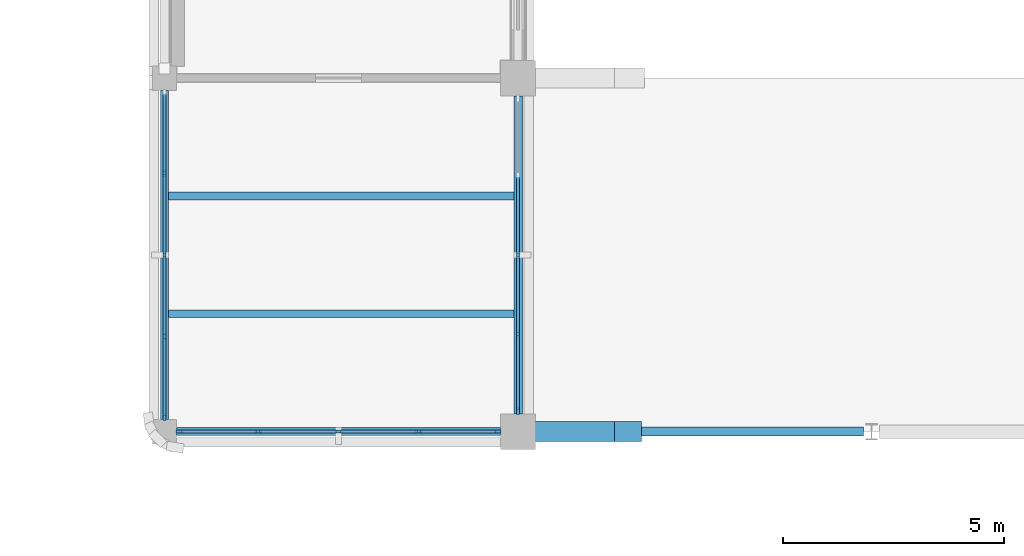
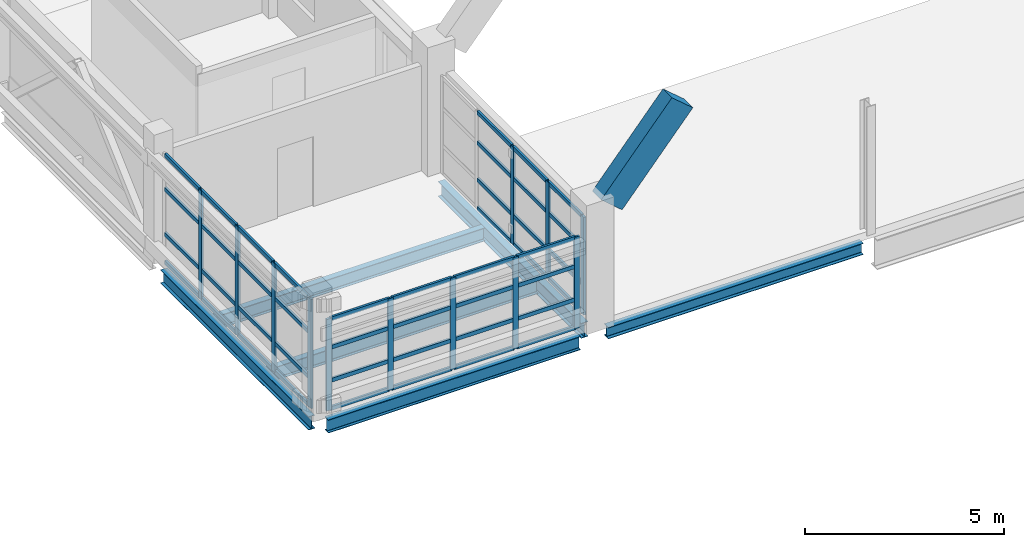
# One storey, part 14 of 92: 56 members, 7 beams, 3 elements without a shape of their own.
"""IFC4 building model written with IfcOpenShell, lengths in metres."""

from ifc_helpers import new_model, si_unit, derived_unit, direction, frame, origin, origin_2d, place, context, subcontext, project, spatial, rectangle, i_section, extrude, material, layer, layer_set, material_profile, profile_set, type_object, element, aggregate, save


model = new_model("IFC4")

# Units and contexts
model_context = context("Model", 3, precision=1e-05, world=origin(), true_north=direction((0.0, 1.0)))
body_context = subcontext(model_context, "Body", "Model", "MODEL_VIEW")
ifc_project = project(units=[si_unit("LENGTHUNIT", "METRE"), si_unit("AREAUNIT", "SQUARE_METRE"), si_unit("VOLUMEUNIT", "CUBIC_METRE"), si_unit("PLANEANGLEUNIT", "RADIAN"), si_unit("MASSUNIT", "GRAM", prefix="KILO"), derived_unit("THERMALTRANSMITTANCEUNIT", [(si_unit("MASSUNIT", "GRAM", prefix="KILO"), 1), (si_unit("TIMEUNIT", "SECOND"), -3), (si_unit("THERMODYNAMICTEMPERATUREUNIT", "KELVIN"), -1)])], contexts=[model_context])

# Site, building, storey
site_placement = place(None, origin())
site = spatial("IfcSite", under=ifc_project, at=site_placement, CompositionType="ELEMENT")
building_placement = place(site_placement, origin())
building = spatial("IfcBuilding", under=site, at=building_placement, Name="Veyamyaing Civic Hall", CompositionType="ELEMENT")
storey_placement = place(building_placement, frame((0.0, 0.0, 17.820068359375)))
storey = spatial("IfcBuildingStorey", under=building, at=storey_placement, Name="L04", CompositionType="ELEMENT", Elevation=17.820068359375)

# Beams
ifc_material_1 = material(Name="Steel ASTM A992", Category="steel")
ifc_material_profile_1 = material_profile(ifc_material_1, i_section(OverallWidth=0.19189453125, OverallDepth=0.462890625, WebThickness=0.010498046875, FlangeThickness=0.017578125, FilletRadius=0.010009765625, at=origin_2d()), Name="W460X89")
ifc_profile_set_1 = profile_set([ifc_material_profile_1], Name="Steel ASTM A992")
beam_type_1 = type_object("IfcBeamType", Name="B-08", PredefinedType="BEAM", material=ifc_profile_set_1)
beam_1_placement = place(storey_placement, frame((72.0, 24.39990234375, -0.4716796875), z_axis=(0.0, 1.0, 0.0), x_axis=(-1.0, 0.0, 0.0)))
element("IfcBeam", 1, at=beam_1_placement, inside=storey, type_object=beam_type_1, Name="Girder B-08 L04 Grid 10 D-E", PredefinedType="BEAM", context=body_context, shape_type="SweptSolid", body=[
    extrude(i_section(OverallWidth=0.19189453125, OverallDepth=0.462890625, WebThickness=0.010498046875, FlangeThickness=0.017578125, FilletRadius=0.010009765625, at=origin_2d()), origin(), (0.0, 0.0, 1.0), 7.2001953125),
])
ifc_material_profile_2 = material_profile(ifc_material_1, i_section(OverallWidth=0.179931640625, OverallDepth=0.4130859375, WebThickness=0.009765625, FlangeThickness=0.01611328125, FilletRadius=0.010009765625, at=origin_2d()), Name="W410X74")
ifc_profile_set_2 = profile_set([ifc_material_profile_2], Name="Steel ASTM A992")
beam_type_2 = type_object("IfcBeamType", Name="B-10", PredefinedType="SPANDREL", material=ifc_profile_set_2)
beam_2_placement = place(storey_placement, frame((64.27490234375, 24.0, -0.441650390625), z_axis=(1.0, 0.0, 0.0), x_axis=(0.0, 1.0, 0.0)))
element("IfcBeam", 2, at=beam_2_placement, inside=storey, type_object=beam_type_2, Name="Girder B-10 L04 Grid D 9-10", PredefinedType="SPANDREL", context=body_context, shape_type="SweptSolid", body=[
    extrude(i_section(OverallWidth=0.179931640625, OverallDepth=0.4130859375, WebThickness=0.009765625, FlangeThickness=0.01611328125, FilletRadius=0.010009765625, at=origin_2d()), origin(), (0.0, 0.0, 1.0), 7.3251953125),
])
beam_3_placement = place(storey_placement, frame((64.0, 24.27490234375, -0.441650390625), z_axis=(0.0, 1.0, 0.0), x_axis=(-1.0, 0.0, 0.0)))
element("IfcBeam", 3, at=beam_3_placement, inside=storey, type_object=beam_type_2, Name="Girder B-10 L04 Grid 9 D-E", PredefinedType="SPANDREL", context=body_context, shape_type="SweptSolid", body=[
    extrude(i_section(OverallWidth=0.179931640625, OverallDepth=0.4130859375, WebThickness=0.009765625, FlangeThickness=0.01611328125, FilletRadius=0.010009765625, at=origin_2d()), origin(), (0.0, 0.0, 1.0), 7.4501953125),
])
ifc_material_profile_3 = material_profile(ifc_material_1, i_section(OverallWidth=0.2041015625, OverallDepth=0.35009765625, WebThickness=0.0078125, FlangeThickness=0.01513671875, FilletRadius=0.010009765625, at=origin_2d()), Name="W360X72")
ifc_profile_set_3 = profile_set([ifc_material_profile_3], Name="Steel ASTM A992")
beam_type_3 = type_object("IfcBeamType", Name="B-11", PredefinedType="SPANDREL", material=ifc_profile_set_3)
beam_4_placement = place(storey_placement, frame((72.39990234375, 24.0, -0.4150390625), z_axis=(1.0, 0.0, 0.0), x_axis=(0.0, 1.0, 0.0)))
element("IfcBeam", 4, at=beam_4_placement, inside=storey, type_object=beam_type_3, Name="Girder B-11 L04 Grid D 10-11", PredefinedType="SPANDREL", context=body_context, shape_type="SweptSolid", body=[
    extrude(i_section(OverallWidth=0.2041015625, OverallDepth=0.35009765625, WebThickness=0.0078125, FlangeThickness=0.01513671875, FilletRadius=0.010009765625, at=origin_2d()), origin(), (0.0, 0.0, 1.0), 7.41552734375),
])

# Curtain wall, members
ifc_material_2 = material(Name="Anodised aluminium 6063-T6", Category="aluminium")
ifc_layer = layer(ifc_material_2, 0.159912109375, Name="Anodised aluminium 6063-T6")
ifc_layer_set = layer_set([ifc_layer], Name="Anodised aluminium 6063-T6")
curtain_wall_type = type_object("IfcCurtainWallType", Name="CW-08", PredefinedType="NOTDEFINED", material=ifc_layer_set)
curtain_wall_1_placement = place(storey_placement, origin())
curtain_wall_1 = element("IfcCurtainWall", 5, at=curtain_wall_1_placement, inside=storey, type_object=curtain_wall_type, Name="Unitized curtain wall CW-08 L04 S 9.4", PredefinedType="NOTDEFINED")
ifc_material_profile_4 = material_profile(ifc_material_2, rectangle(XDim=0.06494140625, YDim=0.159912109375, at=origin_2d()), Name="ALU-MUL-65X160")
ifc_profile_set_4 = profile_set([ifc_material_profile_4], Name="Anodised aluminium 6063-T6")
member_type_1 = type_object("IfcMemberType", Name="CWM-01", PredefinedType="MULLION", material=ifc_profile_set_4)
member_1_placement = place(storey_placement, frame((64.33740234375, 24.0, 0.0), z_axis=(0.0, 0.0, 1.0), x_axis=(0.0, 1.0, 0.0)))
member_1 = element("IfcMember", 6, at=member_1_placement, type_object=member_type_1, Name="CW-08 mullion 1", PredefinedType="MULLION", context=body_context, shape_type="SweptSolid", body=[
    extrude(rectangle(XDim=0.06494140625, YDim=0.159912109375, at=origin_2d()), origin(), (0.0, 0.0, 1.0), 2.81689453125),
])
member_2_placement = place(storey_placement, frame((66.121337890625, 24.0, 0.0), z_axis=(0.0, 0.0, 1.0), x_axis=(0.0, 1.0, 0.0)))
member_2 = element("IfcMember", 7, at=member_2_placement, type_object=member_type_1, Name="CW-08 mullion 2", PredefinedType="MULLION", context=body_context, shape_type="SweptSolid", body=[
    extrude(rectangle(XDim=0.06494140625, YDim=0.159912109375, at=origin_2d()), origin(), (0.0, 0.0, 1.0), 2.81689453125),
])
member_3_placement = place(storey_placement, frame((67.9375, 24.0, 0.0), z_axis=(0.0, 0.0, 1.0), x_axis=(0.0, 1.0, 0.0)))
member_3 = element("IfcMember", 8, at=member_3_placement, type_object=member_type_1, Name="CW-08 mullion 3", PredefinedType="MULLION", context=body_context, shape_type="SweptSolid", body=[
    extrude(rectangle(XDim=0.06494140625, YDim=0.159912109375, at=origin_2d()), origin(), (0.0, 0.0, 1.0), 2.81689453125),
])
member_4_placement = place(storey_placement, frame((69.753662109375, 24.0, 0.0), z_axis=(0.0, 0.0, 1.0), x_axis=(0.0, 1.0, 0.0)))
member_4 = element("IfcMember", 9, at=member_4_placement, type_object=member_type_1, Name="CW-08 mullion 4", PredefinedType="MULLION", context=body_context, shape_type="SweptSolid", body=[
    extrude(rectangle(XDim=0.06494140625, YDim=0.159912109375, at=origin_2d()), origin(), (0.0, 0.0, 1.0), 2.81689453125),
])
member_5_placement = place(storey_placement, frame((71.53759765625, 24.0, 0.0), z_axis=(0.0, 0.0, 1.0), x_axis=(0.0, 1.0, 0.0)))
member_5 = element("IfcMember", 10, at=member_5_placement, type_object=member_type_1, Name="CW-08 mullion 5", PredefinedType="MULLION", context=body_context, shape_type="SweptSolid", body=[
    extrude(rectangle(XDim=0.06494140625, YDim=0.159912109375, at=origin_2d()), origin(), (0.0, 0.0, 1.0), 2.81689453125),
])

curtain_wall_2_placement = place(storey_placement, origin())
curtain_wall_2 = element("IfcCurtainWall", 11, at=curtain_wall_2_placement, inside=storey, type_object=curtain_wall_type, Name="Unitized curtain wall CW-08 L04 W 9.4", PredefinedType="NOTDEFINED")
member_6_placement = place(storey_placement, frame((64.0, 24.33740234375, 0.0), z_axis=(0.0, 0.0, 1.0), x_axis=(-1.0, 0.0, 0.0)))
member_6 = element("IfcMember", 12, at=member_6_placement, type_object=member_type_1, Name="CW-08 mullion 1", PredefinedType="MULLION", context=body_context, shape_type="SweptSolid", body=[
    extrude(rectangle(XDim=0.06494140625, YDim=0.159912109375, at=origin_2d()), origin(), (0.0, 0.0, 1.0), 3.35205078125),
])
member_7_placement = place(storey_placement, frame((64.0, 26.152587890625, 0.0), z_axis=(0.0, 0.0, 1.0), x_axis=(-1.0, 0.0, 0.0)))
member_7 = element("IfcMember", 13, at=member_7_placement, type_object=member_type_1, Name="CW-08 mullion 2", PredefinedType="MULLION", context=body_context, shape_type="SweptSolid", body=[
    extrude(rectangle(XDim=0.06494140625, YDim=0.159912109375, at=origin_2d()), origin(), (0.0, 0.0, 1.0), 3.35205078125),
])
member_8_placement = place(storey_placement, frame((64.0, 28.0, 0.0), z_axis=(0.0, 0.0, 1.0), x_axis=(-1.0, 0.0, 0.0)))
member_8 = element("IfcMember", 14, at=member_8_placement, type_object=member_type_1, Name="CW-08 mullion 3", PredefinedType="MULLION", context=body_context, shape_type="SweptSolid", body=[
    extrude(rectangle(XDim=0.06494140625, YDim=0.159912109375, at=origin_2d()), origin(), (0.0, 0.0, 1.0), 3.35205078125),
])
member_9_placement = place(storey_placement, frame((64.0, 29.847412109375, 0.0), z_axis=(0.0, 0.0, 1.0), x_axis=(-1.0, 0.0, 0.0)))
member_9 = element("IfcMember", 15, at=member_9_placement, type_object=member_type_1, Name="CW-08 mullion 4", PredefinedType="MULLION", context=body_context, shape_type="SweptSolid", body=[
    extrude(rectangle(XDim=0.06494140625, YDim=0.159912109375, at=origin_2d()), origin(), (0.0, 0.0, 1.0), 3.35205078125),
])

curtain_wall_3_placement = place(storey_placement, origin())
curtain_wall_3 = element("IfcCurtainWall", 16, at=curtain_wall_3_placement, inside=storey, type_object=curtain_wall_type, Name="Unitized curtain wall CW-08 L04 E 9.4", PredefinedType="NOTDEFINED")
member_10_placement = place(storey_placement, frame((72.0, 24.46240234375, 0.0), z_axis=(0.0, 0.0, 1.0), x_axis=(-1.0, 0.0, 0.0)))
member_10 = element("IfcMember", 17, at=member_10_placement, type_object=member_type_1, Name="CW-08 mullion 1", PredefinedType="MULLION", context=body_context, shape_type="SweptSolid", body=[
    extrude(rectangle(XDim=0.06494140625, YDim=0.159912109375, at=origin_2d()), origin(), (0.0, 0.0, 1.0), 3.001953125),
])
member_11_placement = place(storey_placement, frame((72.0, 26.215087890625, 0.0), z_axis=(0.0, 0.0, 1.0), x_axis=(-1.0, 0.0, 0.0)))
member_11 = element("IfcMember", 18, at=member_11_placement, type_object=member_type_1, Name="CW-08 mullion 2", PredefinedType="MULLION", context=body_context, shape_type="SweptSolid", body=[
    extrude(rectangle(XDim=0.06494140625, YDim=0.159912109375, at=origin_2d()), origin(), (0.0, 0.0, 1.0), 3.001953125),
])
member_12_placement = place(storey_placement, frame((72.0, 28.0, 0.0), z_axis=(0.0, 0.0, 1.0), x_axis=(-1.0, 0.0, 0.0)))
member_12 = element("IfcMember", 19, at=member_12_placement, type_object=member_type_1, Name="CW-08 mullion 3", PredefinedType="MULLION", context=body_context, shape_type="SweptSolid", body=[
    extrude(rectangle(XDim=0.06494140625, YDim=0.159912109375, at=origin_2d()), origin(), (0.0, 0.0, 1.0), 3.001953125),
])

# Member
ifc_material_profile_5 = material_profile(ifc_material_2, rectangle(XDim=0.06494140625, YDim=0.1201171875, at=origin_2d()), Name="ALU-TRN-65X120")
ifc_profile_set_5 = profile_set([ifc_material_profile_5], Name="Anodised aluminium 6063-T6")
member_type_2 = type_object("IfcMemberType", Name="CWT-01", PredefinedType="USERDEFINED", material=ifc_profile_set_5)
member_13_placement = place(storey_placement, frame((64.3701171875, 24.0, 0.032470703125), z_axis=(1.0, 0.0, 0.0), x_axis=(0.0, 1.0, 0.0)))
member_13 = element("IfcMember", 20, at=member_13_placement, type_object=member_type_2, Name="CW-08 transom 1.1", ObjectType="TRANSOM", PredefinedType="USERDEFINED", context=body_context, shape_type="SweptSolid", body=[
    extrude(rectangle(XDim=0.06494140625, YDim=0.1201171875, at=origin_2d()), origin(), (0.0, 0.0, 1.0), 1.71875),
])

member_14_placement = place(storey_placement, frame((64.3701171875, 24.0, 0.89990234375), z_axis=(1.0, 0.0, 0.0), x_axis=(0.0, 1.0, 0.0)))
member_14 = element("IfcMember", 21, at=member_14_placement, type_object=member_type_2, Name="CW-08 transom 1.2", ObjectType="TRANSOM", PredefinedType="USERDEFINED", context=body_context, shape_type="SweptSolid", body=[
    extrude(rectangle(XDim=0.06494140625, YDim=0.1201171875, at=origin_2d()), origin(), (0.0, 0.0, 1.0), 1.71875),
])

member_15_placement = place(storey_placement, frame((64.3701171875, 24.0, 1.91552734375), z_axis=(1.0, 0.0, 0.0), x_axis=(0.0, 1.0, 0.0)))
member_15 = element("IfcMember", 22, at=member_15_placement, type_object=member_type_2, Name="CW-08 transom 1.3", ObjectType="TRANSOM", PredefinedType="USERDEFINED", context=body_context, shape_type="SweptSolid", body=[
    extrude(rectangle(XDim=0.06494140625, YDim=0.1201171875, at=origin_2d()), origin(), (0.0, 0.0, 1.0), 1.71875),
])

member_16_placement = place(storey_placement, frame((64.3701171875, 24.0, 2.784423828125), z_axis=(1.0, 0.0, 0.0), x_axis=(0.0, 1.0, 0.0)))
member_16 = element("IfcMember", 23, at=member_16_placement, type_object=member_type_2, Name="CW-08 transom 1.4", ObjectType="TRANSOM", PredefinedType="USERDEFINED", context=body_context, shape_type="SweptSolid", body=[
    extrude(rectangle(XDim=0.06494140625, YDim=0.1201171875, at=origin_2d()), origin(), (0.0, 0.0, 1.0), 1.71875),
])

member_17_placement = place(storey_placement, frame((66.15380859375, 24.0, 0.032470703125), z_axis=(1.0, 0.0, 0.0), x_axis=(0.0, 1.0, 0.0)))
member_17 = element("IfcMember", 24, at=member_17_placement, type_object=member_type_2, Name="CW-08 transom 2.1", ObjectType="TRANSOM", PredefinedType="USERDEFINED", context=body_context, shape_type="SweptSolid", body=[
    extrude(rectangle(XDim=0.06494140625, YDim=0.1201171875, at=origin_2d()), origin(), (0.0, 0.0, 1.0), 1.751220703125),
])

member_18_placement = place(storey_placement, frame((66.15380859375, 24.0, 0.89990234375), z_axis=(1.0, 0.0, 0.0), x_axis=(0.0, 1.0, 0.0)))
member_18 = element("IfcMember", 25, at=member_18_placement, type_object=member_type_2, Name="CW-08 transom 2.2", ObjectType="TRANSOM", PredefinedType="USERDEFINED", context=body_context, shape_type="SweptSolid", body=[
    extrude(rectangle(XDim=0.06494140625, YDim=0.1201171875, at=origin_2d()), origin(), (0.0, 0.0, 1.0), 1.751220703125),
])

member_19_placement = place(storey_placement, frame((66.15380859375, 24.0, 1.91552734375), z_axis=(1.0, 0.0, 0.0), x_axis=(0.0, 1.0, 0.0)))
member_19 = element("IfcMember", 26, at=member_19_placement, type_object=member_type_2, Name="CW-08 transom 2.3", ObjectType="TRANSOM", PredefinedType="USERDEFINED", context=body_context, shape_type="SweptSolid", body=[
    extrude(rectangle(XDim=0.06494140625, YDim=0.1201171875, at=origin_2d()), origin(), (0.0, 0.0, 1.0), 1.751220703125),
])

member_20_placement = place(storey_placement, frame((66.15380859375, 24.0, 2.784423828125), z_axis=(1.0, 0.0, 0.0), x_axis=(0.0, 1.0, 0.0)))
member_20 = element("IfcMember", 27, at=member_20_placement, type_object=member_type_2, Name="CW-08 transom 2.4", ObjectType="TRANSOM", PredefinedType="USERDEFINED", context=body_context, shape_type="SweptSolid", body=[
    extrude(rectangle(XDim=0.06494140625, YDim=0.1201171875, at=origin_2d()), origin(), (0.0, 0.0, 1.0), 1.751220703125),
])

member_21_placement = place(storey_placement, frame((67.969970703125, 24.0, 0.032470703125), z_axis=(1.0, 0.0, 0.0), x_axis=(0.0, 1.0, 0.0)))
member_21 = element("IfcMember", 28, at=member_21_placement, type_object=member_type_2, Name="CW-08 transom 3.1", ObjectType="TRANSOM", PredefinedType="USERDEFINED", context=body_context, shape_type="SweptSolid", body=[
    extrude(rectangle(XDim=0.06494140625, YDim=0.1201171875, at=origin_2d()), origin(), (0.0, 0.0, 1.0), 1.751220703125),
])

member_22_placement = place(storey_placement, frame((67.969970703125, 24.0, 0.89990234375), z_axis=(1.0, 0.0, 0.0), x_axis=(0.0, 1.0, 0.0)))
member_22 = element("IfcMember", 29, at=member_22_placement, type_object=member_type_2, Name="CW-08 transom 3.2", ObjectType="TRANSOM", PredefinedType="USERDEFINED", context=body_context, shape_type="SweptSolid", body=[
    extrude(rectangle(XDim=0.06494140625, YDim=0.1201171875, at=origin_2d()), origin(), (0.0, 0.0, 1.0), 1.751220703125),
])

member_23_placement = place(storey_placement, frame((67.969970703125, 24.0, 1.91552734375), z_axis=(1.0, 0.0, 0.0), x_axis=(0.0, 1.0, 0.0)))
member_23 = element("IfcMember", 30, at=member_23_placement, type_object=member_type_2, Name="CW-08 transom 3.3", ObjectType="TRANSOM", PredefinedType="USERDEFINED", context=body_context, shape_type="SweptSolid", body=[
    extrude(rectangle(XDim=0.06494140625, YDim=0.1201171875, at=origin_2d()), origin(), (0.0, 0.0, 1.0), 1.751220703125),
])

member_24_placement = place(storey_placement, frame((67.969970703125, 24.0, 2.784423828125), z_axis=(1.0, 0.0, 0.0), x_axis=(0.0, 1.0, 0.0)))
member_24 = element("IfcMember", 31, at=member_24_placement, type_object=member_type_2, Name="CW-08 transom 3.4", ObjectType="TRANSOM", PredefinedType="USERDEFINED", context=body_context, shape_type="SweptSolid", body=[
    extrude(rectangle(XDim=0.06494140625, YDim=0.1201171875, at=origin_2d()), origin(), (0.0, 0.0, 1.0), 1.751220703125),
])

member_25_placement = place(storey_placement, frame((69.7861328125, 24.0, 0.032470703125), z_axis=(1.0, 0.0, 0.0), x_axis=(0.0, 1.0, 0.0)))
member_25 = element("IfcMember", 32, at=member_25_placement, type_object=member_type_2, Name="CW-08 transom 4.1", ObjectType="TRANSOM", PredefinedType="USERDEFINED", context=body_context, shape_type="SweptSolid", body=[
    extrude(rectangle(XDim=0.06494140625, YDim=0.1201171875, at=origin_2d()), origin(), (0.0, 0.0, 1.0), 1.71875),
])

member_26_placement = place(storey_placement, frame((69.7861328125, 24.0, 0.89990234375), z_axis=(1.0, 0.0, 0.0), x_axis=(0.0, 1.0, 0.0)))
member_26 = element("IfcMember", 33, at=member_26_placement, type_object=member_type_2, Name="CW-08 transom 4.2", ObjectType="TRANSOM", PredefinedType="USERDEFINED", context=body_context, shape_type="SweptSolid", body=[
    extrude(rectangle(XDim=0.06494140625, YDim=0.1201171875, at=origin_2d()), origin(), (0.0, 0.0, 1.0), 1.71875),
])

member_27_placement = place(storey_placement, frame((69.7861328125, 24.0, 1.91552734375), z_axis=(1.0, 0.0, 0.0), x_axis=(0.0, 1.0, 0.0)))
member_27 = element("IfcMember", 34, at=member_27_placement, type_object=member_type_2, Name="CW-08 transom 4.3", ObjectType="TRANSOM", PredefinedType="USERDEFINED", context=body_context, shape_type="SweptSolid", body=[
    extrude(rectangle(XDim=0.06494140625, YDim=0.1201171875, at=origin_2d()), origin(), (0.0, 0.0, 1.0), 1.71875),
])

member_28_placement = place(storey_placement, frame((69.7861328125, 24.0, 2.784423828125), z_axis=(1.0, 0.0, 0.0), x_axis=(0.0, 1.0, 0.0)))
member_28 = element("IfcMember", 35, at=member_28_placement, type_object=member_type_2, Name="CW-08 transom 4.4", ObjectType="TRANSOM", PredefinedType="USERDEFINED", context=body_context, shape_type="SweptSolid", body=[
    extrude(rectangle(XDim=0.06494140625, YDim=0.1201171875, at=origin_2d()), origin(), (0.0, 0.0, 1.0), 1.71875),
])

aggregate(curtain_wall_1, [member_1, member_2, member_3, member_4, member_5, member_13, member_14, member_15, member_16, member_17, member_18, member_19, member_20, member_21, member_22, member_23, member_24, member_25, member_26, member_27, member_28])

member_29_placement = place(storey_placement, frame((64.0, 24.3701171875, 0.032470703125), z_axis=(0.0, 1.0, 0.0), x_axis=(-1.0, 0.0, 0.0)))
member_29 = element("IfcMember", 36, at=member_29_placement, type_object=member_type_2, Name="CW-08 transom 1.1", ObjectType="TRANSOM", PredefinedType="USERDEFINED", context=body_context, shape_type="SweptSolid", body=[
    extrude(rectangle(XDim=0.06494140625, YDim=0.1201171875, at=origin_2d()), origin(), (0.0, 0.0, 1.0), 1.75),
])

member_30_placement = place(storey_placement, frame((64.0, 24.3701171875, 0.89990234375), z_axis=(0.0, 1.0, 0.0), x_axis=(-1.0, 0.0, 0.0)))
member_30 = element("IfcMember", 37, at=member_30_placement, type_object=member_type_2, Name="CW-08 transom 1.2", ObjectType="TRANSOM", PredefinedType="USERDEFINED", context=body_context, shape_type="SweptSolid", body=[
    extrude(rectangle(XDim=0.06494140625, YDim=0.1201171875, at=origin_2d()), origin(), (0.0, 0.0, 1.0), 1.75),
])

member_31_placement = place(storey_placement, frame((64.0, 24.3701171875, 2.279296875), z_axis=(0.0, 1.0, 0.0), x_axis=(-1.0, 0.0, 0.0)))
member_31 = element("IfcMember", 38, at=member_31_placement, type_object=member_type_2, Name="CW-08 transom 1.3", ObjectType="TRANSOM", PredefinedType="USERDEFINED", context=body_context, shape_type="SweptSolid", body=[
    extrude(rectangle(XDim=0.06494140625, YDim=0.1201171875, at=origin_2d()), origin(), (0.0, 0.0, 1.0), 1.75),
])

member_32_placement = place(storey_placement, frame((64.0, 24.3701171875, 3.3193359375), z_axis=(0.0, 1.0, 0.0), x_axis=(-1.0, 0.0, 0.0)))
member_32 = element("IfcMember", 39, at=member_32_placement, type_object=member_type_2, Name="CW-08 transom 1.4", ObjectType="TRANSOM", PredefinedType="USERDEFINED", context=body_context, shape_type="SweptSolid", body=[
    extrude(rectangle(XDim=0.06494140625, YDim=0.1201171875, at=origin_2d()), origin(), (0.0, 0.0, 1.0), 1.75),
])

member_33_placement = place(storey_placement, frame((64.0, 26.18505859375, 0.032470703125), z_axis=(0.0, 1.0, 0.0), x_axis=(-1.0, 0.0, 0.0)))
member_33 = element("IfcMember", 40, at=member_33_placement, type_object=member_type_2, Name="CW-08 transom 2.1", ObjectType="TRANSOM", PredefinedType="USERDEFINED", context=body_context, shape_type="SweptSolid", body=[
    extrude(rectangle(XDim=0.06494140625, YDim=0.1201171875, at=origin_2d()), origin(), (0.0, 0.0, 1.0), 1.782470703125),
])

member_34_placement = place(storey_placement, frame((64.0, 26.18505859375, 0.89990234375), z_axis=(0.0, 1.0, 0.0), x_axis=(-1.0, 0.0, 0.0)))
member_34 = element("IfcMember", 41, at=member_34_placement, type_object=member_type_2, Name="CW-08 transom 2.2", ObjectType="TRANSOM", PredefinedType="USERDEFINED", context=body_context, shape_type="SweptSolid", body=[
    extrude(rectangle(XDim=0.06494140625, YDim=0.1201171875, at=origin_2d()), origin(), (0.0, 0.0, 1.0), 1.782470703125),
])

member_35_placement = place(storey_placement, frame((64.0, 26.18505859375, 2.279296875), z_axis=(0.0, 1.0, 0.0), x_axis=(-1.0, 0.0, 0.0)))
member_35 = element("IfcMember", 42, at=member_35_placement, type_object=member_type_2, Name="CW-08 transom 2.3", ObjectType="TRANSOM", PredefinedType="USERDEFINED", context=body_context, shape_type="SweptSolid", body=[
    extrude(rectangle(XDim=0.06494140625, YDim=0.1201171875, at=origin_2d()), origin(), (0.0, 0.0, 1.0), 1.782470703125),
])

member_36_placement = place(storey_placement, frame((64.0, 26.18505859375, 3.3193359375), z_axis=(0.0, 1.0, 0.0), x_axis=(-1.0, 0.0, 0.0)))
member_36 = element("IfcMember", 43, at=member_36_placement, type_object=member_type_2, Name="CW-08 transom 2.4", ObjectType="TRANSOM", PredefinedType="USERDEFINED", context=body_context, shape_type="SweptSolid", body=[
    extrude(rectangle(XDim=0.06494140625, YDim=0.1201171875, at=origin_2d()), origin(), (0.0, 0.0, 1.0), 1.782470703125),
])

member_37_placement = place(storey_placement, frame((64.0, 28.032470703125, 0.032470703125), z_axis=(0.0, 1.0, 0.0), x_axis=(-1.0, 0.0, 0.0)))
member_37 = element("IfcMember", 44, at=member_37_placement, type_object=member_type_2, Name="CW-08 transom 3.1", ObjectType="TRANSOM", PredefinedType="USERDEFINED", context=body_context, shape_type="SweptSolid", body=[
    extrude(rectangle(XDim=0.06494140625, YDim=0.1201171875, at=origin_2d()), origin(), (0.0, 0.0, 1.0), 1.782470703125),
])

member_38_placement = place(storey_placement, frame((64.0, 28.032470703125, 0.89990234375), z_axis=(0.0, 1.0, 0.0), x_axis=(-1.0, 0.0, 0.0)))
member_38 = element("IfcMember", 45, at=member_38_placement, type_object=member_type_2, Name="CW-08 transom 3.2", ObjectType="TRANSOM", PredefinedType="USERDEFINED", context=body_context, shape_type="SweptSolid", body=[
    extrude(rectangle(XDim=0.06494140625, YDim=0.1201171875, at=origin_2d()), origin(), (0.0, 0.0, 1.0), 1.782470703125),
])

member_39_placement = place(storey_placement, frame((64.0, 28.032470703125, 2.279296875), z_axis=(0.0, 1.0, 0.0), x_axis=(-1.0, 0.0, 0.0)))
member_39 = element("IfcMember", 46, at=member_39_placement, type_object=member_type_2, Name="CW-08 transom 3.3", ObjectType="TRANSOM", PredefinedType="USERDEFINED", context=body_context, shape_type="SweptSolid", body=[
    extrude(rectangle(XDim=0.06494140625, YDim=0.1201171875, at=origin_2d()), origin(), (0.0, 0.0, 1.0), 1.782470703125),
])

member_40_placement = place(storey_placement, frame((64.0, 28.032470703125, 3.3193359375), z_axis=(0.0, 1.0, 0.0), x_axis=(-1.0, 0.0, 0.0)))
member_40 = element("IfcMember", 47, at=member_40_placement, type_object=member_type_2, Name="CW-08 transom 3.4", ObjectType="TRANSOM", PredefinedType="USERDEFINED", context=body_context, shape_type="SweptSolid", body=[
    extrude(rectangle(XDim=0.06494140625, YDim=0.1201171875, at=origin_2d()), origin(), (0.0, 0.0, 1.0), 1.782470703125),
])

member_41_placement = place(storey_placement, frame((64.0, 29.8798828125, 0.032470703125), z_axis=(0.0, 1.0, 0.0), x_axis=(-1.0, 0.0, 0.0)))
member_41 = element("IfcMember", 48, at=member_41_placement, type_object=member_type_2, Name="CW-08 transom 4.1", ObjectType="TRANSOM", PredefinedType="USERDEFINED", context=body_context, shape_type="SweptSolid", body=[
    extrude(rectangle(XDim=0.06494140625, YDim=0.1201171875, at=origin_2d()), origin(), (0.0, 0.0, 1.0), 1.75),
])

member_42_placement = place(storey_placement, frame((64.0, 29.8798828125, 0.89990234375), z_axis=(0.0, 1.0, 0.0), x_axis=(-1.0, 0.0, 0.0)))
member_42 = element("IfcMember", 49, at=member_42_placement, type_object=member_type_2, Name="CW-08 transom 4.2", ObjectType="TRANSOM", PredefinedType="USERDEFINED", context=body_context, shape_type="SweptSolid", body=[
    extrude(rectangle(XDim=0.06494140625, YDim=0.1201171875, at=origin_2d()), origin(), (0.0, 0.0, 1.0), 1.75),
])

member_43_placement = place(storey_placement, frame((64.0, 29.8798828125, 2.279296875), z_axis=(0.0, 1.0, 0.0), x_axis=(-1.0, 0.0, 0.0)))
member_43 = element("IfcMember", 50, at=member_43_placement, type_object=member_type_2, Name="CW-08 transom 4.3", ObjectType="TRANSOM", PredefinedType="USERDEFINED", context=body_context, shape_type="SweptSolid", body=[
    extrude(rectangle(XDim=0.06494140625, YDim=0.1201171875, at=origin_2d()), origin(), (0.0, 0.0, 1.0), 1.75),
])

member_44_placement = place(storey_placement, frame((64.0, 29.8798828125, 3.3193359375), z_axis=(0.0, 1.0, 0.0), x_axis=(-1.0, 0.0, 0.0)))
member_44 = element("IfcMember", 51, at=member_44_placement, type_object=member_type_2, Name="CW-08 transom 4.4", ObjectType="TRANSOM", PredefinedType="USERDEFINED", context=body_context, shape_type="SweptSolid", body=[
    extrude(rectangle(XDim=0.06494140625, YDim=0.1201171875, at=origin_2d()), origin(), (0.0, 0.0, 1.0), 1.75),
])

aggregate(curtain_wall_2, [member_6, member_7, member_8, member_9, member_29, member_30, member_31, member_32, member_33, member_34, member_35, member_36, member_37, member_38, member_39, member_40, member_41, member_42, member_43, member_44])

member_45_placement = place(storey_placement, frame((72.0, 24.4951171875, 0.032470703125), z_axis=(0.0, 1.0, 0.0), x_axis=(-1.0, 0.0, 0.0)))
member_45 = element("IfcMember", 52, at=member_45_placement, type_object=member_type_2, Name="CW-08 transom 1.1", ObjectType="TRANSOM", PredefinedType="USERDEFINED", context=body_context, shape_type="SweptSolid", body=[
    extrude(rectangle(XDim=0.06494140625, YDim=0.1201171875, at=origin_2d()), origin(), (0.0, 0.0, 1.0), 1.6875),
])

member_46_placement = place(storey_placement, frame((72.0, 24.4951171875, 0.89990234375), z_axis=(0.0, 1.0, 0.0), x_axis=(-1.0, 0.0, 0.0)))
member_46 = element("IfcMember", 53, at=member_46_placement, type_object=member_type_2, Name="CW-08 transom 1.2", ObjectType="TRANSOM", PredefinedType="USERDEFINED", context=body_context, shape_type="SweptSolid", body=[
    extrude(rectangle(XDim=0.06494140625, YDim=0.1201171875, at=origin_2d()), origin(), (0.0, 0.0, 1.0), 1.6875),
])

member_47_placement = place(storey_placement, frame((72.0, 24.4951171875, 2.041259765625), z_axis=(0.0, 1.0, 0.0), x_axis=(-1.0, 0.0, 0.0)))
member_47 = element("IfcMember", 54, at=member_47_placement, type_object=member_type_2, Name="CW-08 transom 1.3", ObjectType="TRANSOM", PredefinedType="USERDEFINED", context=body_context, shape_type="SweptSolid", body=[
    extrude(rectangle(XDim=0.06494140625, YDim=0.1201171875, at=origin_2d()), origin(), (0.0, 0.0, 1.0), 1.6875),
])

member_48_placement = place(storey_placement, frame((72.0, 24.4951171875, 2.969482421875), z_axis=(0.0, 1.0, 0.0), x_axis=(-1.0, 0.0, 0.0)))
member_48 = element("IfcMember", 55, at=member_48_placement, type_object=member_type_2, Name="CW-08 transom 1.4", ObjectType="TRANSOM", PredefinedType="USERDEFINED", context=body_context, shape_type="SweptSolid", body=[
    extrude(rectangle(XDim=0.06494140625, YDim=0.1201171875, at=origin_2d()), origin(), (0.0, 0.0, 1.0), 1.6875),
])

member_49_placement = place(storey_placement, frame((72.0, 26.24755859375, 0.032470703125), z_axis=(0.0, 1.0, 0.0), x_axis=(-1.0, 0.0, 0.0)))
member_49 = element("IfcMember", 56, at=member_49_placement, type_object=member_type_2, Name="CW-08 transom 2.1", ObjectType="TRANSOM", PredefinedType="USERDEFINED", context=body_context, shape_type="SweptSolid", body=[
    extrude(rectangle(XDim=0.06494140625, YDim=0.1201171875, at=origin_2d()), origin(), (0.0, 0.0, 1.0), 1.719970703125),
])

member_50_placement = place(storey_placement, frame((72.0, 26.24755859375, 0.89990234375), z_axis=(0.0, 1.0, 0.0), x_axis=(-1.0, 0.0, 0.0)))
member_50 = element("IfcMember", 57, at=member_50_placement, type_object=member_type_2, Name="CW-08 transom 2.2", ObjectType="TRANSOM", PredefinedType="USERDEFINED", context=body_context, shape_type="SweptSolid", body=[
    extrude(rectangle(XDim=0.06494140625, YDim=0.1201171875, at=origin_2d()), origin(), (0.0, 0.0, 1.0), 1.719970703125),
])

member_51_placement = place(storey_placement, frame((72.0, 26.24755859375, 2.041259765625), z_axis=(0.0, 1.0, 0.0), x_axis=(-1.0, 0.0, 0.0)))
member_51 = element("IfcMember", 58, at=member_51_placement, type_object=member_type_2, Name="CW-08 transom 2.3", ObjectType="TRANSOM", PredefinedType="USERDEFINED", context=body_context, shape_type="SweptSolid", body=[
    extrude(rectangle(XDim=0.06494140625, YDim=0.1201171875, at=origin_2d()), origin(), (0.0, 0.0, 1.0), 1.719970703125),
])

member_52_placement = place(storey_placement, frame((72.0, 26.24755859375, 2.969482421875), z_axis=(0.0, 1.0, 0.0), x_axis=(-1.0, 0.0, 0.0)))
member_52 = element("IfcMember", 59, at=member_52_placement, type_object=member_type_2, Name="CW-08 transom 2.4", ObjectType="TRANSOM", PredefinedType="USERDEFINED", context=body_context, shape_type="SweptSolid", body=[
    extrude(rectangle(XDim=0.06494140625, YDim=0.1201171875, at=origin_2d()), origin(), (0.0, 0.0, 1.0), 1.719970703125),
])

member_53_placement = place(storey_placement, frame((72.0, 28.032470703125, 0.032470703125), z_axis=(0.0, 1.0, 0.0), x_axis=(-1.0, 0.0, 0.0)))
member_53 = element("IfcMember", 60, at=member_53_placement, type_object=member_type_2, Name="CW-08 transom 3.1", ObjectType="TRANSOM", PredefinedType="USERDEFINED", context=body_context, shape_type="SweptSolid", body=[
    extrude(rectangle(XDim=0.06494140625, YDim=0.1201171875, at=origin_2d()), origin(), (0.0, 0.0, 1.0), 1.719970703125),
])

member_54_placement = place(storey_placement, frame((72.0, 28.032470703125, 0.89990234375), z_axis=(0.0, 1.0, 0.0), x_axis=(-1.0, 0.0, 0.0)))
member_54 = element("IfcMember", 61, at=member_54_placement, type_object=member_type_2, Name="CW-08 transom 3.2", ObjectType="TRANSOM", PredefinedType="USERDEFINED", context=body_context, shape_type="SweptSolid", body=[
    extrude(rectangle(XDim=0.06494140625, YDim=0.1201171875, at=origin_2d()), origin(), (0.0, 0.0, 1.0), 1.719970703125),
])

member_55_placement = place(storey_placement, frame((72.0, 28.032470703125, 2.041259765625), z_axis=(0.0, 1.0, 0.0), x_axis=(-1.0, 0.0, 0.0)))
member_55 = element("IfcMember", 62, at=member_55_placement, type_object=member_type_2, Name="CW-08 transom 3.3", ObjectType="TRANSOM", PredefinedType="USERDEFINED", context=body_context, shape_type="SweptSolid", body=[
    extrude(rectangle(XDim=0.06494140625, YDim=0.1201171875, at=origin_2d()), origin(), (0.0, 0.0, 1.0), 1.719970703125),
])

member_56_placement = place(storey_placement, frame((72.0, 28.032470703125, 2.969482421875), z_axis=(0.0, 1.0, 0.0), x_axis=(-1.0, 0.0, 0.0)))
member_56 = element("IfcMember", 63, at=member_56_placement, type_object=member_type_2, Name="CW-08 transom 3.4", ObjectType="TRANSOM", PredefinedType="USERDEFINED", context=body_context, shape_type="SweptSolid", body=[
    extrude(rectangle(XDim=0.06494140625, YDim=0.1201171875, at=origin_2d()), origin(), (0.0, 0.0, 1.0), 1.719970703125),
])

aggregate(curtain_wall_3, [member_10, member_11, member_12, member_45, member_46, member_47, member_48, member_49, member_50, member_51, member_52, member_53, member_54, member_55, member_56])

# Beams
ifc_material_profile_6 = material_profile(ifc_material_1, i_section(OverallWidth=0.177978515625, OverallDepth=0.406982421875, WebThickness=0.0078125, FlangeThickness=0.0126953125, FilletRadius=0.010009765625, at=origin_2d()), Name="W410X60")
ifc_profile_set_6 = profile_set([ifc_material_profile_6], Name="Steel ASTM A992")
beam_type_4 = type_object("IfcBeamType", Name="J-01", PredefinedType="JOIST", material=ifc_profile_set_6)
for number, where, z_axis, x_axis, name in (
    (64, (64.087890625, 26.666748046875, -0.443603515625), (1.0, 0.0, 0.0), (0.0, 1.0, 0.0), "Composite floor joist J-01 L04 9.4.1"),
    (65, (64.087890625, 29.333251953125, -0.443603515625), (1.0, 0.0, 0.0), (0.0, 1.0, 0.0), "Composite floor joist J-01 L04 9.4.2"),
):
    element("IfcBeam", number, at=place(storey_placement, frame(where, z_axis=z_axis, x_axis=x_axis)), inside=storey, type_object=beam_type_4, Name=name, PredefinedType="JOIST", context=body_context, shape_type="SweptSolid", body=[
        extrude(i_section(OverallWidth=0.177978515625, OverallDepth=0.406982421875, WebThickness=0.0078125, FlangeThickness=0.0126953125, FilletRadius=0.010009765625, at=origin_2d()), origin(), (0.0, 0.0, 1.0), 7.818115234375),
    ])
ifc_material_3 = material(Name="Concrete C40/50", Category="concrete")
ifc_material_profile_7 = material_profile(ifc_material_3, rectangle(XDim=0.449951171875, YDim=0.800048828125, at=origin_2d()), Name="RC-ARCH-450X800")
ifc_profile_set_7 = profile_set([ifc_material_profile_7], Name="Concrete C40/50")
beam_type_5 = type_object("IfcBeamType", Name="VR-02", PredefinedType="BEAM", material=ifc_profile_set_7)
beam_5_placement = place(storey_placement, frame((72.4267578125, 24.0, 3.59716796875), z_axis=(0.647670737377, 0.0, 0.761920347507), x_axis=(0.0, 1.0, 0.0)))
element("IfcBeam", 66, at=beam_5_placement, inside=storey, type_object=beam_type_5, Name="Council Chamber Vault Arch Rib VR-02 R1.F1", PredefinedType="BEAM", context=body_context, shape_type="SweptSolid", body=[
    extrude(rectangle(XDim=0.449951171875, YDim=0.800048828125, at=origin_2d()), origin(), (0.0, 0.0, 1.0), 3.175537109375),
])

save(model, "model.ifc")
